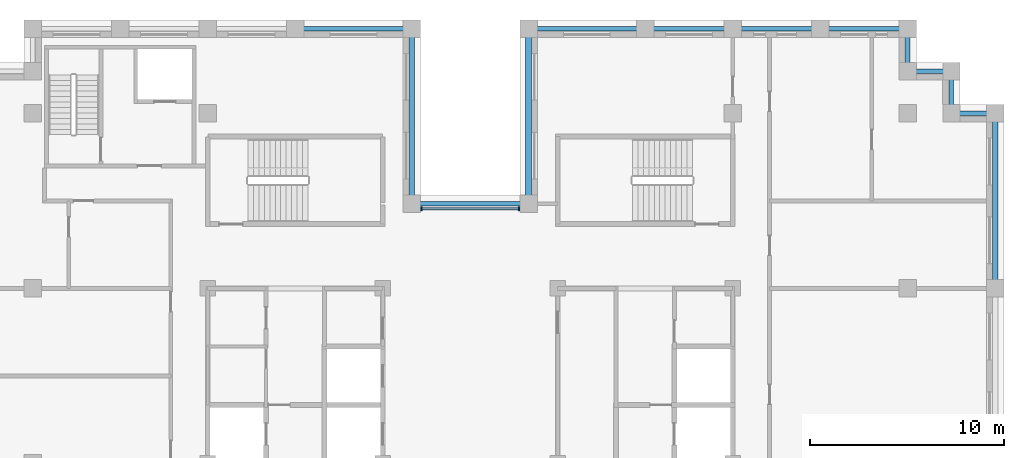
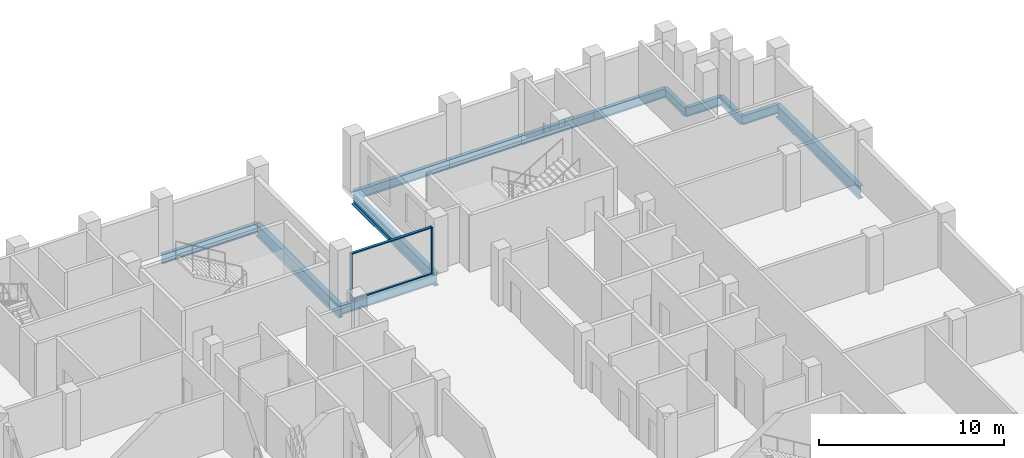
# One storey, part 4 of 13: 13 beams, 4 members, 1 element without a shape of its own.
"""IFC4 building model written with IfcOpenShell, lengths in metres."""

from ifc_helpers import new_model, si_unit, direction, frame, origin, origin_2d, place, context, subcontext, project, spatial, rectangle, i_section, extrude, material, layer, layer_set, material_profile, profile_set, type_object, element, aggregate, save


model = new_model("IFC4")

# Units and contexts
model_context = context("Model", 3, precision=1e-05, world=origin(), true_north=direction((0.0, 1.0)))
body_context = subcontext(model_context, "Body", "Model", "MODEL_VIEW")
ifc_project = project(units=[si_unit("LENGTHUNIT", "METRE"), si_unit("AREAUNIT", "SQUARE_METRE"), si_unit("VOLUMEUNIT", "CUBIC_METRE"), si_unit("PLANEANGLEUNIT", "RADIAN"), si_unit("MASSUNIT", "GRAM", prefix="KILO")], contexts=[model_context])

# Site, building, storey
site_placement = place(None, origin())
site = spatial("IfcSite", under=ifc_project, at=site_placement, CompositionType="ELEMENT")
building_placement = place(site_placement, origin())
building = spatial("IfcBuilding", under=site, at=building_placement, Name="Corbelhall Arena Tower", CompositionType="ELEMENT")
storey_placement = place(building_placement, frame((0.0, 0.0, 278.0)))
storey = spatial("IfcBuildingStorey", under=building, at=storey_placement, Name="L60", CompositionType="ELEMENT", Elevation=278.0)

# Curtain wall, members
ifc_material_1 = material(Name="Aluminium black anodised", Category="aluminium")
ifc_layer = layer(ifc_material_1, 0.199951171875)
ifc_layer_set = layer_set([ifc_layer], Name="EV-CW1 Slot back wall")
curtain_wall_type = type_object("IfcCurtainWallType", Name="EV-CW1 Slot back wall", PredefinedType="NOTDEFINED", material=ifc_layer_set)
curtain_wall_placement = place(storey_placement, origin())
curtain_wall = element("IfcCurtainWall", 1, at=curtain_wall_placement, inside=storey, type_object=curtain_wall_type, Name="Curtain wall CW1", PredefinedType="NOTDEFINED")
ifc_material_profile_1 = material_profile(ifc_material_1, rectangle(XDim=0.199951171875, YDim=0.074951171875, at=origin_2d()))
ifc_profile_set_1 = profile_set([ifc_material_profile_1], Name="Aluminium black anodised")
member_type_1 = type_object("IfcMemberType", Name="EV-CW1-MULLION", PredefinedType="MULLION", material=ifc_profile_set_1)
member_1_placement = place(storey_placement, frame((2.512451171875, 13.10009765625, 0.0), z_axis=(0.0, 0.0, 1.0), x_axis=(0.0, -1.0, 0.0)))
member_1 = element("IfcMember", 2, at=member_1_placement, type_object=member_type_1, Name="CW1 mullion 1", PredefinedType="MULLION", context=body_context, shape_type="SweptSolid", body=[
    extrude(rectangle(XDim=0.199951171875, YDim=0.074951171875, at=origin_2d()), origin(), (0.0, 0.0, 1.0), 3.1201171875),
])
member_2_placement = place(storey_placement, frame((-2.512451171875, 13.10009765625, 0.0), z_axis=(0.0, 0.0, 1.0), x_axis=(0.0, -1.0, 0.0)))
member_2 = element("IfcMember", 3, at=member_2_placement, type_object=member_type_1, Name="CW1 mullion 2", PredefinedType="MULLION", context=body_context, shape_type="SweptSolid", body=[
    extrude(rectangle(XDim=0.199951171875, YDim=0.074951171875, at=origin_2d()), origin(), (0.0, 0.0, 1.0), 3.1201171875),
])
ifc_material_profile_2 = material_profile(ifc_material_1, rectangle(XDim=0.14990234375, YDim=0.074951171875, at=origin_2d()))
ifc_profile_set_2 = profile_set([ifc_material_profile_2], Name="Aluminium black anodised")
member_type_2 = type_object("IfcMemberType", Name="EV-CW1-TRANSOM", PredefinedType="USERDEFINED", material=ifc_profile_set_2)
member_3_placement = place(storey_placement, frame((2.47509765625, 13.10009765625, 0.03759765625), z_axis=(-1.0, 0.0, 0.0), x_axis=(0.0, -1.0, 0.0)))
member_3 = element("IfcMember", 4, at=member_3_placement, type_object=member_type_2, Name="CW1 transom 1.1", ObjectType="transom", PredefinedType="USERDEFINED", context=body_context, shape_type="SweptSolid", body=[
    extrude(rectangle(XDim=0.14990234375, YDim=0.074951171875, at=origin_2d()), origin(), (0.0, 0.0, 1.0), 4.9501953125),
])
member_4_placement = place(storey_placement, frame((2.47509765625, 13.10009765625, 3.08251953125), z_axis=(-1.0, 0.0, 0.0), x_axis=(0.0, -1.0, 0.0)))
member_4 = element("IfcMember", 5, at=member_4_placement, type_object=member_type_2, Name="CW1 transom 1.2", ObjectType="transom", PredefinedType="USERDEFINED", context=body_context, shape_type="SweptSolid", body=[
    extrude(rectangle(XDim=0.14990234375, YDim=0.074951171875, at=origin_2d()), origin(), (0.0, 0.0, 1.0), 4.9501953125),
])
aggregate(curtain_wall, [member_1, member_2, member_3, member_4])

# Beams
ifc_material_2 = material(Name="Steel ASTM A992 Gr50", Category="steel")
ifc_material_profile_3 = material_profile(ifc_material_2, i_section(OverallWidth=0.227783203125, OverallDepth=0.60205078125, WebThickness=0.010498046875, FlangeThickness=0.014892578125, at=origin_2d()))
ifc_profile_set_3 = profile_set([ifc_material_profile_3], Name="Steel ASTM A992 Gr50")
beam_type_1 = type_object("IfcBeamType", Name="ST-SPANDREL-W24x68", PredefinedType="SPANDREL", material=ifc_profile_set_3)
beam_1_placement = place(storey_placement, frame((3.0, 22.35009765625, -0.5810546875), z_axis=(1.0, 0.0, 0.0), x_axis=(0.0, 1.0, 0.0)))
element("IfcBeam", 6, at=beam_1_placement, inside=storey, type_object=beam_type_1, Name="Beam SP 6", PredefinedType="SPANDREL", context=body_context, shape_type="SweptSolid", body=[
    extrude(i_section(OverallWidth=0.227783203125, OverallDepth=0.60205078125, WebThickness=0.010498046875, FlangeThickness=0.014892578125, at=origin_2d()), origin(), (0.0, 0.0, 1.0), 6.0),
])
for number, where, z_axis, x_axis, name in (
    (7, (9.0, 22.35009765625, -0.5810546875), (1.0, 0.0, 0.0), (0.0, 1.0, 0.0), "Beam SP 7"),
    (8, (13.5, 22.35009765625, -0.5810546875), (1.0, 0.0, 0.0), (0.0, 1.0, 0.0), "Beam SP 8"),
    (9, (18.0, 22.35009765625, -0.5810546875), (1.0, 0.0, 0.0), (0.0, 1.0, 0.0), "Beam SP 9"),
):
    element("IfcBeam", number, at=place(storey_placement, frame(where, z_axis=z_axis, x_axis=x_axis)), inside=storey, type_object=beam_type_1, Name=name, PredefinedType="SPANDREL", context=body_context, shape_type="SweptSolid", body=[
        extrude(i_section(OverallWidth=0.227783203125, OverallDepth=0.60205078125, WebThickness=0.010498046875, FlangeThickness=0.014892578125, at=origin_2d()), origin(), (0.0, 0.0, 1.0), 4.5),
    ])
beam_2_placement = place(storey_placement, frame((22.5, 22.35009765625, -0.5810546875), z_axis=(0.0, -1.0, 0.0), x_axis=(1.0, 0.0, 0.0)))
element("IfcBeam", 10, at=beam_2_placement, inside=storey, type_object=beam_type_1, Name="Beam SP 10", PredefinedType="SPANDREL", context=body_context, shape_type="SweptSolid", body=[
    extrude(i_section(OverallWidth=0.227783203125, OverallDepth=0.60205078125, WebThickness=0.010498046875, FlangeThickness=0.014892578125, at=origin_2d()), origin(), (0.0, 0.0, 1.0), 2.175048828125),
])
for number, where, z_axis, x_axis, name in (
    (11, (-9.0, 22.35009765625, -0.5810546875), (1.0, 0.0, 0.0), (0.0, 1.0, 0.0), "Beam SP 12"),
    (12, (-3.0, 13.35009765625, -0.5810546875), (1.0, 0.0, 0.0), (0.0, 1.0, 0.0), "Beam SP 32"),
):
    element("IfcBeam", number, at=place(storey_placement, frame(where, z_axis=z_axis, x_axis=x_axis)), inside=storey, type_object=beam_type_1, Name=name, PredefinedType="SPANDREL", context=body_context, shape_type="SweptSolid", body=[
        extrude(i_section(OverallWidth=0.227783203125, OverallDepth=0.60205078125, WebThickness=0.010498046875, FlangeThickness=0.014892578125, at=origin_2d()), origin(), (0.0, 0.0, 1.0), 6.0),
    ])
beam_3_placement = place(storey_placement, frame((22.5, 20.175048828125, -0.5810546875), z_axis=(1.0, 0.0, 0.0), x_axis=(0.0, 1.0, 0.0)))
element("IfcBeam", 13, at=beam_3_placement, inside=storey, type_object=beam_type_1, Name="Beam SP 35", PredefinedType="SPANDREL", context=body_context, shape_type="SweptSolid", body=[
    extrude(i_section(OverallWidth=0.227783203125, OverallDepth=0.60205078125, WebThickness=0.010498046875, FlangeThickness=0.014892578125, at=origin_2d()), origin(), (0.0, 0.0, 1.0), 2.25),
])
beam_4_placement = place(storey_placement, frame((24.75, 20.175048828125, -0.5810546875), z_axis=(0.0, -1.0, 0.0), x_axis=(1.0, 0.0, 0.0)))
element("IfcBeam", 14, at=beam_4_placement, inside=storey, type_object=beam_type_1, Name="Beam SP 36", PredefinedType="SPANDREL", context=body_context, shape_type="SweptSolid", body=[
    extrude(i_section(OverallWidth=0.227783203125, OverallDepth=0.60205078125, WebThickness=0.010498046875, FlangeThickness=0.014892578125, at=origin_2d()), origin(), (0.0, 0.0, 1.0), 2.175048828125),
])
beam_5_placement = place(storey_placement, frame((24.75, 18.0, -0.5810546875), z_axis=(1.0, 0.0, 0.0), x_axis=(0.0, 1.0, 0.0)))
element("IfcBeam", 15, at=beam_5_placement, inside=storey, type_object=beam_type_1, Name="Beam SP 37", PredefinedType="SPANDREL", context=body_context, shape_type="SweptSolid", body=[
    extrude(i_section(OverallWidth=0.227783203125, OverallDepth=0.60205078125, WebThickness=0.010498046875, FlangeThickness=0.014892578125, at=origin_2d()), origin(), (0.0, 0.0, 1.0), 2.25),
])
ifc_material_profile_4 = material_profile(ifc_material_2, i_section(OverallWidth=0.2919921875, OverallDepth=0.845703125, WebThickness=0.015380859375, FlangeThickness=0.0244140625, at=origin_2d()))
ifc_profile_set_4 = profile_set([ifc_material_profile_4], Name="Steel ASTM A992 Gr50")
beam_type_2 = type_object("IfcBeamType", Name="ST-SPANDREL-W33x141", PredefinedType="SPANDREL", material=ifc_profile_set_4)
for number, where, z_axis, x_axis, name in (
    (16, (27.0, 18.0, -0.702880859375), (0.0, -1.0, 0.0), (1.0, 0.0, 0.0), "Beam SP 3"),
    (17, (-3.0, 22.35009765625, -0.702880859375), (0.0, -1.0, 0.0), (1.0, 0.0, 0.0), "Beam SP 11"),
    (18, (3.0, 13.35009765625, -0.702880859375), (0.0, 1.0, 0.0), (-1.0, 0.0, 0.0), "Beam SP 31"),
):
    element("IfcBeam", number, at=place(storey_placement, frame(where, z_axis=z_axis, x_axis=x_axis)), inside=storey, type_object=beam_type_2, Name=name, PredefinedType="SPANDREL", context=body_context, shape_type="SweptSolid", body=[
        extrude(i_section(OverallWidth=0.2919921875, OverallDepth=0.845703125, WebThickness=0.015380859375, FlangeThickness=0.0244140625, at=origin_2d()), origin(), (0.0, 0.0, 1.0), 9.0),
    ])

save(model, "model.ifc")
